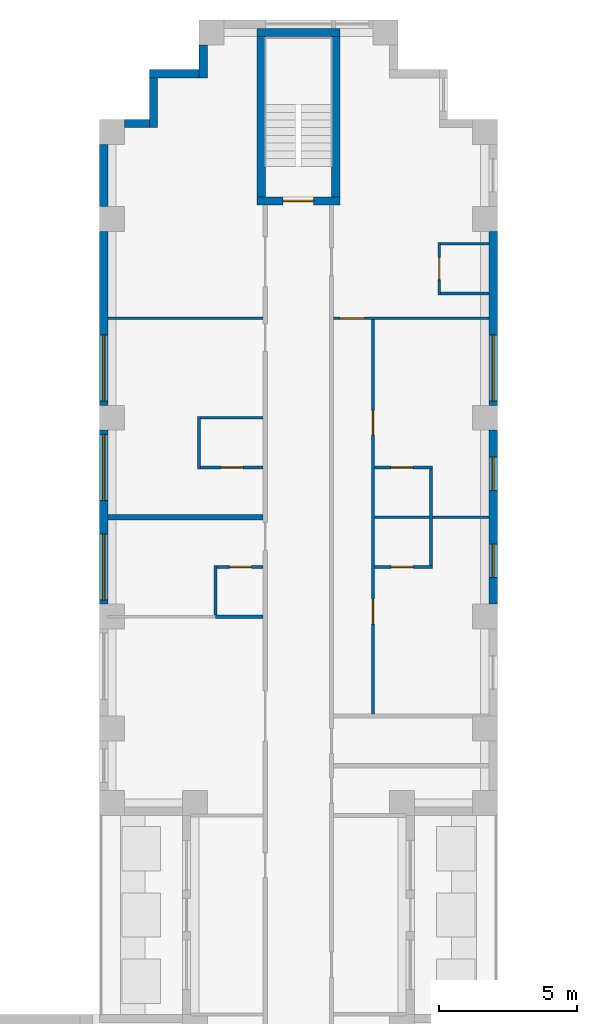
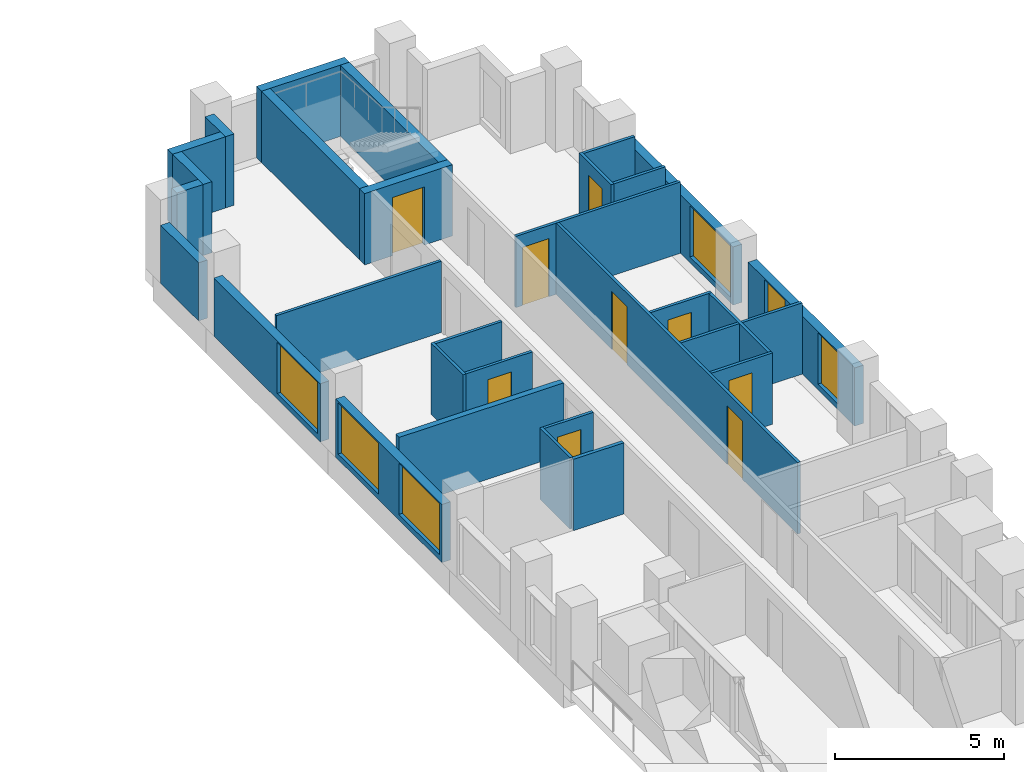
# One storey, part 11 of 15: 30 walls, 9 doors, 6 windows, 15 openings.
"""IFC4 building model written with IfcOpenShell, lengths in metres."""

from ifc_helpers import new_model, si_unit, direction, frame, frame_2d, origin, place, context, subcontext, project, spatial, rectangle, extrude, material, layer, layer_set, type_object, element, fill, save


model = new_model("IFC4")

# Units and contexts
model_context = context("Model", 3, precision=1e-05, world=origin(), true_north=direction((0.0, 1.0)))
body_context = subcontext(model_context, "Body", "Model", "MODEL_VIEW")
ifc_project = project(units=[si_unit("LENGTHUNIT", "METRE"), si_unit("AREAUNIT", "SQUARE_METRE"), si_unit("VOLUMEUNIT", "CUBIC_METRE"), si_unit("PLANEANGLEUNIT", "RADIAN"), si_unit("MASSUNIT", "GRAM", prefix="KILO")], contexts=[model_context])

# Site, building, storey
site_placement = place(None, origin())
site = spatial("IfcSite", under=ifc_project, at=site_placement, CompositionType="ELEMENT")
building_placement = place(site_placement, origin())
building = spatial("IfcBuilding", under=site, at=building_placement, Name="Fustian Cross Tower", CompositionType="ELEMENT")
storey_placement = place(building_placement, frame((0.0, 0.0, 47.699951171875)))
storey = spatial("IfcBuildingStorey", under=building, at=storey_placement, Name="L14", CompositionType="ELEMENT", Elevation=47.699951171875)

# Walls
ifc_material_1 = material(Name="Plasterboard on steel stud", Category="steel")
ifc_layer_1 = layer(ifc_material_1, 0.10009765625)
ifc_layer_set_1 = layer_set([ifc_layer_1], Name="Plasterboard on steel stud")
wall_type_1 = type_object("IfcWallType", Name="PARTITION 100 STUD", PredefinedType="PARTITIONING", material=ifc_layer_set_1)
wall_1_placement = place(storey_placement, frame((-6.89990234375, 32.39990234375, 0.0), z_axis=(0.0, 0.0, 1.0), x_axis=(1.0, 0.0, 0.0)))
element("IfcWall", 1, at=wall_1_placement, inside=storey, type_object=wall_type_1, Name="Partition 25", PredefinedType="PARTITIONING", context=body_context, shape_type="SweptSolid", body=[
    extrude(rectangle(XDim=5.625, YDim=0.10009765625, at=frame_2d((2.8125, 0.0))), origin(), (0.0, 0.0, 1.0), 2.574951171875),
])
wall_2_placement = place(storey_placement, frame((-3.60009765625, 26.949951171875, 0.0), z_axis=(0.0, 0.0, 1.0), x_axis=(0.0, 1.0, 0.0)))
element("IfcWall", 2, at=wall_2_placement, inside=storey, type_object=wall_type_1, Name="Partition 34", PredefinedType="PARTITIONING", context=body_context, shape_type="SweptSolid", body=[
    extrude(rectangle(XDim=1.900146484375, YDim=0.10009765625, at=frame_2d((0.9501953125, 0.0))), origin(), (0.0, 0.0, 1.0), 2.574951171875),
])

# Wall, opening, door
wall_3_placement = place(storey_placement, frame((-3.550048828125, 27.0, 0.0), z_axis=(0.0, 0.0, 1.0), x_axis=(1.0, 0.0, 0.0)))
wall_3 = element("IfcWall", 3, at=wall_3_placement, inside=storey, type_object=wall_type_1, Name="Partition 35", PredefinedType="PARTITIONING", context=body_context, shape_type="SweptSolid", body=[
    extrude(rectangle(XDim=2.275146484375, YDim=0.10009765625, at=frame_2d((1.1376953125, 0.0))), origin(), (0.0, 0.0, 1.0), 2.574951171875),
])
opening_1_placement = place(wall_3_placement, frame((0.75, 0.0, 0.0)))
opening_1 = element("IfcOpeningElement", 4, at=opening_1_placement, cuts=wall_3, Name="Opening D08023", PredefinedType="OPENING", context=body_context, shape_type="SweptSolid", body=[
    extrude(rectangle(XDim=0.800048828125, YDim=2.10009765625, at=frame_2d((0.39990234375, 1.050048828125))), frame((0.0, 0.06005859375, 0.0), z_axis=(0.0, -1.0, 0.0), x_axis=(1.0, 0.0, 0.0)), (0.0, 0.0, 1.0), 0.1201171875),
])
ifc_material_2 = material(Name="Painted timber", Category="wood")
door_type_1 = type_object("IfcDoorType", Name="SWING DOOR 800", OperationType="SINGLE_SWING_LEFT", PredefinedType="DOOR", material=ifc_material_2)
door_1_placement = place(opening_1_placement, origin())
door_1 = element("IfcDoor", 5, at=door_1_placement, inside=storey, type_object=door_type_1, Name="Door D08023", OperationType="SINGLE_SWING_LEFT", OverallHeight=2.10009765625, OverallWidth=0.800048828125, PredefinedType="DOOR", context=body_context, shape_type="SweptSolid", body=[
    extrude(rectangle(XDim=0.800048828125, YDim=2.10009765625, at=frame_2d((0.39990234375, 1.050048828125))), frame((0.0, 0.02490234375, 0.0), z_axis=(0.0, -1.0, 0.0), x_axis=(1.0, 0.0, 0.0)), (0.0, 0.0, 1.0), 0.050048828125),
])
fill(opening_1, door_1)

# Walls
wall_4_placement = place(storey_placement, frame((-3.550048828125, 28.800048828125, 0.0), z_axis=(0.0, 0.0, 1.0), x_axis=(1.0, 0.0, 0.0)))
element("IfcWall", 6, at=wall_4_placement, inside=storey, type_object=wall_type_1, Name="Partition 36", PredefinedType="PARTITIONING", context=body_context, shape_type="SweptSolid", body=[
    extrude(rectangle(XDim=2.275146484375, YDim=0.10009765625, at=frame_2d((1.1376953125, 0.0))), origin(), (0.0, 0.0, 1.0), 2.574951171875),
])
wall_5_placement = place(storey_placement, frame((-3.0, 21.66259765625, 0.0), z_axis=(0.0, 0.0, 1.0), x_axis=(0.0, 1.0, 0.0)))
element("IfcWall", 7, at=wall_5_placement, inside=storey, type_object=wall_type_1, Name="Partition 38", PredefinedType="PARTITIONING", context=body_context, shape_type="SweptSolid", body=[
    extrude(rectangle(XDim=1.787353515625, YDim=0.10009765625, at=frame_2d((0.8935546875, 0.0))), origin(), (0.0, 0.0, 1.0), 2.574951171875),
])

# Wall, opening, door
wall_6_placement = place(storey_placement, frame((-2.949951171875, 23.39990234375, 0.0), z_axis=(0.0, 0.0, 1.0), x_axis=(1.0, 0.0, 0.0)))
wall_6 = element("IfcWall", 8, at=wall_6_placement, inside=storey, type_object=wall_type_1, Name="Partition 40", PredefinedType="PARTITIONING", context=body_context, shape_type="SweptSolid", body=[
    extrude(rectangle(XDim=1.675048828125, YDim=0.10009765625, at=frame_2d((0.83740234375, 0.0))), origin(), (0.0, 0.0, 1.0), 2.574951171875),
])
opening_2_placement = place(wall_6_placement, frame((0.449951171875, 0.0, 0.0)))
opening_2 = element("IfcOpeningElement", 9, at=opening_2_placement, cuts=wall_6, Name="Opening D08021", PredefinedType="OPENING", context=body_context, shape_type="SweptSolid", body=[
    extrude(rectangle(XDim=0.800048828125, YDim=2.10009765625, at=frame_2d((0.39990234375, 1.050048828125))), frame((0.0, 0.06005859375, 0.0), z_axis=(0.0, -1.0, 0.0), x_axis=(1.0, 0.0, 0.0)), (0.0, 0.0, 1.0), 0.1201171875),
])
door_2_placement = place(opening_2_placement, frame((0.800048828125, 0.0, 0.0), z_axis=(0.0, 0.0, 1.0), x_axis=(-1.0, 0.0, 0.0)))
door_2 = element("IfcDoor", 10, at=door_2_placement, inside=storey, type_object=door_type_1, Name="Door D08021", OperationType="SINGLE_SWING_LEFT", OverallHeight=2.10009765625, OverallWidth=0.800048828125, PredefinedType="DOOR", context=body_context, shape_type="SweptSolid", body=[
    extrude(rectangle(XDim=0.800048828125, YDim=2.10009765625, at=frame_2d((0.39990234375, 1.050048828125))), frame((0.0, 0.02490234375, 0.0), z_axis=(0.0, -1.0, 0.0), x_axis=(1.0, 0.0, 0.0)), (0.0, 0.0, 1.0), 0.050048828125),
])
fill(opening_2, door_2)

wall_7_placement = place(storey_placement, frame((1.27490234375, 32.39990234375, 0.0), z_axis=(0.0, 0.0, 1.0), x_axis=(1.0, 0.0, 0.0)))
wall_7 = element("IfcWall", 11, at=wall_7_placement, inside=storey, type_object=wall_type_1, Name="Partition 58", PredefinedType="PARTITIONING", context=body_context, shape_type="SweptSolid", body=[
    extrude(rectangle(XDim=5.625, YDim=0.10009765625, at=frame_2d((2.8125, 0.0))), origin(), (0.0, 0.0, 1.0), 2.574951171875),
])
opening_3_placement = place(wall_7_placement, frame((0.22509765625, 0.0, 0.0)))
opening_3 = element("IfcOpeningElement", 12, at=opening_3_placement, cuts=wall_7, Name="Opening D08031", PredefinedType="OPENING", context=body_context, shape_type="SweptSolid", body=[
    extrude(rectangle(XDim=0.89990234375, YDim=2.10009765625, at=frame_2d((0.449951171875, 1.050048828125))), frame((0.0, 0.06005859375, 0.0), z_axis=(0.0, -1.0, 0.0), x_axis=(1.0, 0.0, 0.0)), (0.0, 0.0, 1.0), 0.1201171875),
])
ifc_material_3 = material(Name="Painted timber", Category="wood")
door_type_2 = type_object("IfcDoorType", Name="SWING DOOR 900", OperationType="SINGLE_SWING_LEFT", PredefinedType="DOOR", material=ifc_material_3)
door_3_placement = place(opening_3_placement, frame((0.89990234375, 0.0, 0.0), z_axis=(0.0, 0.0, 1.0), x_axis=(-1.0, 0.0, 0.0)))
door_3 = element("IfcDoor", 13, at=door_3_placement, inside=storey, type_object=door_type_2, Name="Door D08031", OperationType="SINGLE_SWING_RIGHT", OverallHeight=2.10009765625, OverallWidth=0.89990234375, PredefinedType="DOOR", context=body_context, shape_type="SweptSolid", body=[
    extrude(rectangle(XDim=0.89990234375, YDim=2.10009765625, at=frame_2d((0.449951171875, 1.050048828125))), frame((0.0, 0.02490234375, 0.0), z_axis=(0.0, -1.0, 0.0), x_axis=(1.0, 0.0, 0.0)), (0.0, 0.0, 1.0), 0.050048828125),
])
fill(opening_3, door_3)

# Wall, openings, doors
wall_8_placement = place(storey_placement, frame((2.699951171875, 18.074951171875, 0.0), z_axis=(0.0, 0.0, 1.0), x_axis=(0.0, 1.0, 0.0)))
wall_8 = element("IfcWall", 14, at=wall_8_placement, inside=storey, type_object=wall_type_1, Name="Partition 63", PredefinedType="PARTITIONING", context=body_context, shape_type="SweptSolid", body=[
    extrude(rectangle(XDim=14.275146484375, YDim=0.10009765625, at=frame_2d((7.1376953125, 0.0))), origin(), (0.0, 0.0, 1.0), 2.574951171875),
])
opening_4_placement = place(wall_8_placement, frame((3.255126953125, 0.0, 0.0)))
opening_4 = element("IfcOpeningElement", 15, at=opening_4_placement, cuts=wall_8, Name="Opening D08032", PredefinedType="OPENING", context=body_context, shape_type="SweptSolid", body=[
    extrude(rectangle(XDim=0.89990234375, YDim=2.10009765625, at=frame_2d((0.449951171875, 1.050048828125))), frame((0.0, 0.06005859375, 0.0), z_axis=(0.0, -1.0, 0.0), x_axis=(1.0, 0.0, 0.0)), (0.0, 0.0, 1.0), 0.1201171875),
])
opening_5_placement = place(wall_8_placement, frame((10.094970703125, 0.0, 0.0)))
opening_5 = element("IfcOpeningElement", 16, at=opening_5_placement, cuts=wall_8, Name="Opening D08033", PredefinedType="OPENING", context=body_context, shape_type="SweptSolid", body=[
    extrude(rectangle(XDim=0.89990234375, YDim=2.10009765625, at=frame_2d((0.449951171875, 1.050048828125))), frame((0.0, 0.06005859375, 0.0), z_axis=(0.0, -1.0, 0.0), x_axis=(1.0, 0.0, 0.0)), (0.0, 0.0, 1.0), 0.1201171875),
])
door_4_placement = place(opening_4_placement, origin())
door_4 = element("IfcDoor", 17, at=door_4_placement, inside=storey, type_object=door_type_2, Name="Door D08032", OperationType="SINGLE_SWING_LEFT", OverallHeight=2.10009765625, OverallWidth=0.89990234375, PredefinedType="DOOR", context=body_context, shape_type="SweptSolid", body=[
    extrude(rectangle(XDim=0.89990234375, YDim=2.10009765625, at=frame_2d((0.449951171875, 1.050048828125))), frame((0.0, 0.02490234375, 0.0), z_axis=(0.0, -1.0, 0.0), x_axis=(1.0, 0.0, 0.0)), (0.0, 0.0, 1.0), 0.050048828125),
])
fill(opening_4, door_4)
door_5_placement = place(opening_5_placement, origin())
door_5 = element("IfcDoor", 18, at=door_5_placement, inside=storey, type_object=door_type_2, Name="Door D08033", OperationType="SINGLE_SWING_RIGHT", OverallHeight=2.10009765625, OverallWidth=0.89990234375, PredefinedType="DOOR", context=body_context, shape_type="SweptSolid", body=[
    extrude(rectangle(XDim=0.89990234375, YDim=2.10009765625, at=frame_2d((0.449951171875, 1.050048828125))), frame((0.0, 0.02490234375, 0.0), z_axis=(0.0, -1.0, 0.0), x_axis=(1.0, 0.0, 0.0)), (0.0, 0.0, 1.0), 0.050048828125),
])
fill(opening_5, door_5)

# Wall, opening, door
wall_9_placement = place(storey_placement, frame((2.75, 23.39990234375, 0.0), z_axis=(0.0, 0.0, 1.0), x_axis=(1.0, 0.0, 0.0)))
wall_9 = element("IfcWall", 19, at=wall_9_placement, inside=storey, type_object=wall_type_1, Name="Partition 64", PredefinedType="PARTITIONING", context=body_context, shape_type="SweptSolid", body=[
    extrude(rectangle(XDim=2.10009765625, YDim=0.10009765625, at=frame_2d((1.050048828125, 0.0))), origin(), (0.0, 0.0, 1.0), 2.574951171875),
])
opening_6_placement = place(wall_9_placement, frame((0.60009765625, 0.0, 0.0)))
opening_6 = element("IfcOpeningElement", 20, at=opening_6_placement, cuts=wall_9, Name="Opening D08034", PredefinedType="OPENING", context=body_context, shape_type="SweptSolid", body=[
    extrude(rectangle(XDim=0.800048828125, YDim=2.10009765625, at=frame_2d((0.39990234375, 1.050048828125))), frame((0.0, 0.06005859375, 0.0), z_axis=(0.0, -1.0, 0.0), x_axis=(1.0, 0.0, 0.0)), (0.0, 0.0, 1.0), 0.1201171875),
])
door_6_placement = place(opening_6_placement, origin())
door_6 = element("IfcDoor", 21, at=door_6_placement, inside=storey, type_object=door_type_1, Name="Door D08034", OperationType="SINGLE_SWING_LEFT", OverallHeight=2.10009765625, OverallWidth=0.800048828125, PredefinedType="DOOR", context=body_context, shape_type="SweptSolid", body=[
    extrude(rectangle(XDim=0.800048828125, YDim=2.10009765625, at=frame_2d((0.39990234375, 1.050048828125))), frame((0.0, 0.02490234375, 0.0), z_axis=(0.0, -1.0, 0.0), x_axis=(1.0, 0.0, 0.0)), (0.0, 0.0, 1.0), 0.050048828125),
])
fill(opening_6, door_6)

# Wall
wall_10_placement = place(storey_placement, frame((2.75, 25.199951171875, 0.0), z_axis=(0.0, 0.0, 1.0), x_axis=(1.0, 0.0, 0.0)))
element("IfcWall", 22, at=wall_10_placement, inside=storey, type_object=wall_type_1, Name="Partition 65", PredefinedType="PARTITIONING", context=body_context, shape_type="SweptSolid", body=[
    extrude(rectangle(XDim=4.14990234375, YDim=0.10009765625, at=frame_2d((2.074951171875, 0.0))), origin(), (0.0, 0.0, 1.0), 2.574951171875),
])

# Wall, opening, door
wall_11_placement = place(storey_placement, frame((2.75, 27.0, 0.0), z_axis=(0.0, 0.0, 1.0), x_axis=(1.0, 0.0, 0.0)))
wall_11 = element("IfcWall", 23, at=wall_11_placement, inside=storey, type_object=wall_type_1, Name="Partition 66", PredefinedType="PARTITIONING", context=body_context, shape_type="SweptSolid", body=[
    extrude(rectangle(XDim=2.10009765625, YDim=0.10009765625, at=frame_2d((1.050048828125, 0.0))), origin(), (0.0, 0.0, 1.0), 2.574951171875),
])
opening_7_placement = place(wall_11_placement, frame((0.60009765625, 0.0, 0.0)))
opening_7 = element("IfcOpeningElement", 24, at=opening_7_placement, cuts=wall_11, Name="Opening D08035", PredefinedType="OPENING", context=body_context, shape_type="SweptSolid", body=[
    extrude(rectangle(XDim=0.800048828125, YDim=2.10009765625, at=frame_2d((0.39990234375, 1.050048828125))), frame((0.0, 0.06005859375, 0.0), z_axis=(0.0, -1.0, 0.0), x_axis=(1.0, 0.0, 0.0)), (0.0, 0.0, 1.0), 0.1201171875),
])
door_7_placement = place(opening_7_placement, frame((0.800048828125, 0.0, 0.0), z_axis=(0.0, 0.0, 1.0), x_axis=(-1.0, 0.0, 0.0)))
door_7 = element("IfcDoor", 25, at=door_7_placement, inside=storey, type_object=door_type_1, Name="Door D08035", OperationType="SINGLE_SWING_RIGHT", OverallHeight=2.10009765625, OverallWidth=0.800048828125, PredefinedType="DOOR", context=body_context, shape_type="SweptSolid", body=[
    extrude(rectangle(XDim=0.800048828125, YDim=2.10009765625, at=frame_2d((0.39990234375, 1.050048828125))), frame((0.0, 0.02490234375, 0.0), z_axis=(0.0, -1.0, 0.0), x_axis=(1.0, 0.0, 0.0)), (0.0, 0.0, 1.0), 0.050048828125),
])
fill(opening_7, door_7)

# Wall
wall_12_placement = place(storey_placement, frame((4.800048828125, 23.449951171875, 0.0), z_axis=(0.0, 0.0, 1.0), x_axis=(0.0, 1.0, 0.0)))
element("IfcWall", 26, at=wall_12_placement, inside=storey, type_object=wall_type_1, Name="Partition 69", PredefinedType="PARTITIONING", context=body_context, shape_type="SweptSolid", body=[
    extrude(rectangle(XDim=3.5, YDim=0.10009765625, at=frame_2d((1.75, 0.0))), origin(), (0.0, 0.0, 1.0), 2.574951171875),
])

# Wall, opening, door
wall_13_placement = place(storey_placement, frame((5.10009765625, 33.25, 0.0), z_axis=(0.0, 0.0, 1.0), x_axis=(0.0, 1.0, 0.0)))
wall_13 = element("IfcWall", 27, at=wall_13_placement, inside=storey, type_object=wall_type_1, Name="Partition 73", PredefinedType="PARTITIONING", context=body_context, shape_type="SweptSolid", body=[
    extrude(rectangle(XDim=1.89990234375, YDim=0.10009765625, at=frame_2d((0.949951171875, 0.0))), origin(), (0.0, 0.0, 1.0), 2.574951171875),
])
opening_8_placement = place(wall_13_placement, frame((0.550048828125, 0.0, 0.0)))
opening_8 = element("IfcOpeningElement", 28, at=opening_8_placement, cuts=wall_13, Name="Opening D08029", PredefinedType="OPENING", context=body_context, shape_type="SweptSolid", body=[
    extrude(rectangle(XDim=0.800048828125, YDim=2.10009765625, at=frame_2d((0.39990234375, 1.050048828125))), frame((0.0, 0.06005859375, 0.0), z_axis=(0.0, -1.0, 0.0), x_axis=(1.0, 0.0, 0.0)), (0.0, 0.0, 1.0), 0.1201171875),
])
door_8_placement = place(opening_8_placement, frame((0.800048828125, 0.0, 0.0), z_axis=(0.0, 0.0, 1.0), x_axis=(-1.0, 0.0, 0.0)))
door_8 = element("IfcDoor", 29, at=door_8_placement, inside=storey, type_object=door_type_1, Name="Door D08029", OperationType="SINGLE_SWING_LEFT", OverallHeight=2.10009765625, OverallWidth=0.800048828125, PredefinedType="DOOR", context=body_context, shape_type="SweptSolid", body=[
    extrude(rectangle(XDim=0.800048828125, YDim=2.10009765625, at=frame_2d((0.39990234375, 1.050048828125))), frame((0.0, 0.02490234375, 0.0), z_axis=(0.0, -1.0, 0.0), x_axis=(1.0, 0.0, 0.0)), (0.0, 0.0, 1.0), 0.050048828125),
])
fill(opening_8, door_8)

# Walls
for number, where, z_axis, x_axis, name in (
    (30, (5.14990234375, 33.300048828125, 0.0), (0.0, 0.0, 1.0), (1.0, 0.0, 0.0), "Partition 74"),
    (31, (5.14990234375, 35.10009765625, 0.0), (0.0, 0.0, 1.0), (1.0, 0.0, 0.0), "Partition 75"),
):
    element("IfcWall", number, at=place(storey_placement, frame(where, z_axis=z_axis, x_axis=x_axis)), inside=storey, type_object=wall_type_1, Name=name, PredefinedType="PARTITIONING", context=body_context, shape_type="SweptSolid", body=[
        extrude(rectangle(XDim=1.75, YDim=0.10009765625, at=frame_2d((0.875, 0.0))), origin(), (0.0, 0.0, 1.0), 2.574951171875),
    ])
ifc_material_4 = material(Name="Plasterboard on steel stud", Category="steel")
ifc_layer_2 = layer(ifc_material_4, 0.199951171875)
ifc_layer_set_2 = layer_set([ifc_layer_2], Name="Plasterboard on steel stud")
wall_type_2 = type_object("IfcWallType", Name="PARTY WALL 200 EI 60", PredefinedType="PARTITIONING", material=ifc_layer_set_2)
wall_14_placement = place(storey_placement, frame((-6.89990234375, 25.199951171875, 0.0), z_axis=(0.0, 0.0, 1.0), x_axis=(1.0, 0.0, 0.0)))
element("IfcWall", 32, at=wall_14_placement, inside=storey, type_object=wall_type_2, Name="Partition 24", PredefinedType="PARTITIONING", context=body_context, shape_type="SweptSolid", body=[
    extrude(rectangle(XDim=5.625, YDim=0.199951171875, at=frame_2d((2.8125, 0.0))), origin(), (0.0, 0.0, 1.0), 2.574951171875),
])

# Wall, opening, door
ifc_material_5 = material(Name="Concrete C50/60", Category="concrete")
ifc_layer_3 = layer(ifc_material_5, 0.300048828125)
ifc_layer_set_3 = layer_set([ifc_layer_3], Name="Concrete C50/60")
wall_type_3 = type_object("IfcWallType", Name="STAIR ENCLOSURE WALL 300 C50/60", PredefinedType="SHEAR", material=ifc_layer_set_3)
wall_15_placement = place(storey_placement, frame((-1.5, 36.64990234375, 0.0), z_axis=(0.0, 0.0, 1.0), x_axis=(1.0, 0.0, 0.0)))
wall_15 = element("IfcWall", 33, at=wall_15_placement, inside=storey, type_object=wall_type_3, Name="Stair enclosure wall", PredefinedType="SHEAR", context=body_context, shape_type="SweptSolid", body=[
    extrude(rectangle(XDim=3.0, YDim=0.300048828125, at=frame_2d((1.5, 0.0))), origin(), (0.0, 0.0, 1.0), 2.574951171875),
])
opening_9_placement = place(wall_15_placement, frame((0.949951171875, 0.0, 0.0)))
opening_9 = element("IfcOpeningElement", 34, at=opening_9_placement, cuts=wall_15, Name="Opening CD-05-31", PredefinedType="OPENING", context=body_context, shape_type="SweptSolid", body=[
    extrude(rectangle(XDim=1.10009765625, YDim=2.10009765625, at=frame_2d((0.550048828125, 1.050048828125))), frame((0.0, 0.159912109375, 0.0), z_axis=(0.0, -1.0, 0.0), x_axis=(1.0, 0.0, 0.0)), (0.0, 0.0, 1.0), 0.320068359375),
])
ifc_material_6 = material(Name="Steel", Category="steel")
door_type_3 = type_object("IfcDoorType", Name="FIRE DOOR FD60S 1100X2100", OperationType="SINGLE_SWING_LEFT", PredefinedType="DOOR", material=ifc_material_6)
door_9_placement = place(opening_9_placement, origin())
door_9 = element("IfcDoor", 35, at=door_9_placement, inside=storey, type_object=door_type_3, Name="Core door CD-05-31", OperationType="SINGLE_SWING_LEFT", OverallHeight=2.10009765625, OverallWidth=1.10009765625, PredefinedType="DOOR", context=body_context, shape_type="SweptSolid", body=[
    extrude(rectangle(XDim=1.10009765625, YDim=2.10009765625, at=frame_2d((0.550048828125, 1.050048828125))), frame((0.0, 0.02490234375, 0.0), z_axis=(0.0, -1.0, 0.0), x_axis=(1.0, 0.0, 0.0)), (0.0, 0.0, 1.0), 0.050048828125),
])
fill(opening_9, door_9)

# Walls
wall_16_placement = place(storey_placement, frame((-1.5, 42.75, 0.0), z_axis=(0.0, 0.0, 1.0), x_axis=(1.0, 0.0, 0.0)))
element("IfcWall", 36, at=wall_16_placement, inside=storey, type_object=wall_type_3, Name="Stair enclosure wall", PredefinedType="SHEAR", context=body_context, shape_type="SweptSolid", body=[
    extrude(rectangle(XDim=3.0, YDim=0.300048828125, at=frame_2d((1.5, 0.0))), origin(), (0.0, 0.0, 1.0), 2.574951171875),
])
for number, where, z_axis, x_axis, name in (
    (37, (-1.35009765625, 36.800048828125, 0.0), (0.0, 0.0, 1.0), (0.0, 1.0, 0.0), "Stair enclosure wall"),
    (38, (1.35009765625, 36.800048828125, 0.0), (0.0, 0.0, 1.0), (0.0, 1.0, 0.0), "Stair enclosure wall"),
):
    element("IfcWall", number, at=place(storey_placement, frame(where, z_axis=z_axis, x_axis=x_axis)), inside=storey, type_object=wall_type_3, Name=name, PredefinedType="SHEAR", context=body_context, shape_type="SweptSolid", body=[
        extrude(rectangle(XDim=5.800048828125, YDim=0.300048828125, at=frame_2d((2.89990234375, 0.0))), origin(), (0.0, 0.0, 1.0), 2.574951171875),
    ])
ifc_material_7 = material(Name="Plasterboard on steel stud", Category="steel")
ifc_layer_4 = layer(ifc_material_7, 0.125)
ifc_layer_set_4 = layer_set([ifc_layer_4], Name="Plasterboard on steel stud")
wall_type_4 = type_object("IfcWallType", Name="WET WALL 125 STUD", PredefinedType="PARTITIONING", material=ifc_layer_set_4)
wall_17_placement = place(storey_placement, frame((-3.0, 21.60009765625, 0.0), z_axis=(0.0, 0.0, 1.0), x_axis=(1.0, 0.0, 0.0)))
element("IfcWall", 39, at=wall_17_placement, inside=storey, type_object=wall_type_4, Name="Partition 39", PredefinedType="PARTITIONING", context=body_context, shape_type="SweptSolid", body=[
    extrude(rectangle(XDim=1.72509765625, YDim=0.125, at=frame_2d((0.862548828125, 0.0))), origin(), (0.0, 0.0, 1.0), 2.574951171875),
])

# Wall, openings, windows
ifc_material_8 = material(Name="Dark aluminium cladding on insulated backing wall", Category="aluminium")
ifc_layer_5 = layer(ifc_material_8, 0.300048828125)
ifc_layer_set_5 = layer_set([ifc_layer_5], Name="Dark aluminium cladding on insulated backing wall")
wall_type_5 = type_object("IfcWallType", Name="XW1 EXTERNAL WALL 300", PredefinedType="SOLIDWALL", material=ifc_layer_set_5)
wall_18_placement = place(storey_placement, frame((7.050048828125, 22.050048828125, 0.0), z_axis=(0.0, 0.0, 1.0), x_axis=(0.0, 1.0, 0.0)))
wall_18 = element("IfcWall", 40, at=wall_18_placement, inside=storey, type_object=wall_type_5, Name="External wall", PredefinedType="SOLIDWALL", context=body_context, shape_type="SweptSolid", body=[
    extrude(rectangle(XDim=6.300048828125, YDim=0.300048828125, at=frame_2d((3.14990234375, 0.0))), origin(), (0.0, 0.0, 1.0), 2.10009765625),
])
opening_10_placement = place(wall_18_placement, frame((0.97509765625, 0.0, 0.199951171875)))
opening_10 = element("IfcOpeningElement", 41, at=opening_10_placement, cuts=wall_18, Name="Opening WN3", PredefinedType="OPENING", context=body_context, shape_type="SweptSolid", body=[
    extrude(rectangle(XDim=1.199951171875, YDim=1.85009765625, at=frame_2d((0.60009765625, 0.925048828125))), frame((0.0, 0.159912109375, 0.0), z_axis=(0.0, -1.0, 0.0), x_axis=(1.0, 0.0, 0.0)), (0.0, 0.0, 1.0), 0.320068359375),
])
opening_11_placement = place(wall_18_placement, frame((4.125, 0.0, 0.199951171875)))
opening_11 = element("IfcOpeningElement", 42, at=opening_11_placement, cuts=wall_18, Name="Opening WN3", PredefinedType="OPENING", context=body_context, shape_type="SweptSolid", body=[
    extrude(rectangle(XDim=1.199951171875, YDim=1.85009765625, at=frame_2d((0.60009765625, 0.925048828125))), frame((0.0, 0.159912109375, 0.0), z_axis=(0.0, -1.0, 0.0), x_axis=(1.0, 0.0, 0.0)), (0.0, 0.0, 1.0), 0.320068359375),
])
ifc_material_9 = material(Name="Dark anodised aluminium and double glazing", Category="aluminium")
window_type_1 = type_object("IfcWindowType", Name="WN3 WINDOW 1200X1850", PartitioningType="SINGLE_PANEL", PredefinedType="WINDOW", material=ifc_material_9)
window_1_placement = place(opening_10_placement, origin())
window_1 = element("IfcWindow", 43, at=window_1_placement, inside=storey, type_object=window_type_1, Name="Window", OverallHeight=1.85009765625, OverallWidth=1.199951171875, PartitioningType="SINGLE_PANEL", PredefinedType="WINDOW", context=body_context, shape_type="SweptSolid", body=[
    extrude(rectangle(XDim=1.199951171875, YDim=1.85009765625, at=frame_2d((0.60009765625, 0.925048828125))), frame((0.0, 0.030029296875, 0.0), z_axis=(0.0, -1.0, 0.0), x_axis=(1.0, 0.0, 0.0)), (0.0, 0.0, 1.0), 0.06005859375),
])
fill(opening_10, window_1)
window_2_placement = place(opening_11_placement, origin())
window_2 = element("IfcWindow", 44, at=window_2_placement, inside=storey, type_object=window_type_1, Name="Window", OverallHeight=1.85009765625, OverallWidth=1.199951171875, PartitioningType="SINGLE_PANEL", PredefinedType="WINDOW", context=body_context, shape_type="SweptSolid", body=[
    extrude(rectangle(XDim=1.199951171875, YDim=1.85009765625, at=frame_2d((0.60009765625, 0.925048828125))), frame((0.0, 0.030029296875, 0.0), z_axis=(0.0, -1.0, 0.0), x_axis=(1.0, 0.0, 0.0)), (0.0, 0.0, 1.0), 0.06005859375),
])
fill(opening_11, window_2)

# Wall, opening, window
wall_19_placement = place(storey_placement, frame((7.050048828125, 29.25, 0.0), z_axis=(0.0, 0.0, 1.0), x_axis=(0.0, 1.0, 0.0)))
wall_19 = element("IfcWall", 45, at=wall_19_placement, inside=storey, type_object=wall_type_5, Name="External wall", PredefinedType="SOLIDWALL", context=body_context, shape_type="SweptSolid", body=[
    extrude(rectangle(XDim=6.300048828125, YDim=0.300048828125, at=frame_2d((3.14990234375, 0.0))), origin(), (0.0, 0.0, 1.0), 2.10009765625),
])
opening_12_placement = place(wall_19_placement, frame((0.14990234375, 0.0, 0.199951171875)))
opening_12 = element("IfcOpeningElement", 46, at=opening_12_placement, cuts=wall_19, Name="Opening WN1", PredefinedType="OPENING", context=body_context, shape_type="SweptSolid", body=[
    extrude(rectangle(XDim=2.39990234375, YDim=1.85009765625, at=frame_2d((1.199951171875, 0.925048828125))), frame((0.0, 0.159912109375, 0.0), z_axis=(0.0, -1.0, 0.0), x_axis=(1.0, 0.0, 0.0)), (0.0, 0.0, 1.0), 0.320068359375),
])
ifc_material_10 = material(Name="Dark anodised aluminium and double glazing", Category="aluminium")
window_type_2 = type_object("IfcWindowType", Name="WN1 WINDOW 2400X1850", PartitioningType="SINGLE_PANEL", PredefinedType="WINDOW", material=ifc_material_10)
window_3_placement = place(opening_12_placement, origin())
window_3 = element("IfcWindow", 47, at=window_3_placement, inside=storey, type_object=window_type_2, Name="Window", OverallHeight=1.85009765625, OverallWidth=2.39990234375, PartitioningType="SINGLE_PANEL", PredefinedType="WINDOW", context=body_context, shape_type="SweptSolid", body=[
    extrude(rectangle(XDim=2.39990234375, YDim=1.85009765625, at=frame_2d((1.199951171875, 0.925048828125))), frame((0.0, 0.030029296875, 0.0), z_axis=(0.0, -1.0, 0.0), x_axis=(1.0, 0.0, 0.0)), (0.0, 0.0, 1.0), 0.06005859375),
])
fill(opening_12, window_3)

# Walls
wall_20_placement = place(storey_placement, frame((-3.449951171875, 42.300048828125, 0.0), z_axis=(0.0, 0.0, 1.0), x_axis=(0.0, -1.0, 0.0)))
element("IfcWall", 48, at=wall_20_placement, inside=storey, type_object=wall_type_5, Name="External wall", PredefinedType="SOLIDWALL", context=body_context, shape_type="SweptSolid", body=[
    extrude(rectangle(XDim=1.199951171875, YDim=0.300048828125, at=frame_2d((0.60009765625, 0.0))), origin(), (0.0, 0.0, 1.0), 2.574951171875),
])
wall_21_placement = place(storey_placement, frame((-3.60009765625, 41.25, 0.0), z_axis=(0.0, 0.0, 1.0), x_axis=(-1.0, 0.0, 0.0)))
element("IfcWall", 49, at=wall_21_placement, inside=storey, type_object=wall_type_5, Name="External wall", PredefinedType="SOLIDWALL", context=body_context, shape_type="SweptSolid", body=[
    extrude(rectangle(XDim=1.7998046875, YDim=0.300048828125, at=frame_2d((0.89990234375, 0.0))), origin(), (0.0, 0.0, 1.0), 2.574951171875),
])
wall_22_placement = place(storey_placement, frame((-5.25, 41.10009765625, 0.0), z_axis=(0.0, 0.0, 1.0), x_axis=(0.0, -1.0, 0.0)))
element("IfcWall", 50, at=wall_22_placement, inside=storey, type_object=wall_type_5, Name="External wall", PredefinedType="SOLIDWALL", context=body_context, shape_type="SweptSolid", body=[
    extrude(rectangle(XDim=1.800048828125, YDim=0.300048828125, at=frame_2d((0.89990234375, 0.0))), origin(), (0.0, 0.0, 1.0), 2.574951171875),
])
wall_23_placement = place(storey_placement, frame((-5.39990234375, 39.449951171875, 0.0), z_axis=(0.0, 0.0, 1.0), x_axis=(-1.0, 0.0, 0.0)))
element("IfcWall", 51, at=wall_23_placement, inside=storey, type_object=wall_type_5, Name="External wall", PredefinedType="SOLIDWALL", context=body_context, shape_type="SweptSolid", body=[
    extrude(rectangle(XDim=0.900146484375, YDim=0.300048828125, at=frame_2d((0.4501953125, 0.0))), origin(), (0.0, 0.0, 1.0), 2.574951171875),
])
wall_24_placement = place(storey_placement, frame((-7.050048828125, 38.699951171875, 0.0), z_axis=(0.0, 0.0, 1.0), x_axis=(0.0, -1.0, 0.0)))
element("IfcWall", 52, at=wall_24_placement, inside=storey, type_object=wall_type_5, Name="External wall", PredefinedType="SOLIDWALL", context=body_context, shape_type="SweptSolid", body=[
    extrude(rectangle(XDim=2.25, YDim=0.300048828125, at=frame_2d((1.125, 0.0))), origin(), (0.0, 0.0, 1.0), 2.10009765625),
])

# Wall, opening, window
wall_25_placement = place(storey_placement, frame((-7.050048828125, 35.550048828125, 0.0), z_axis=(0.0, 0.0, 1.0), x_axis=(0.0, -1.0, 0.0)))
wall_25 = element("IfcWall", 53, at=wall_25_placement, inside=storey, type_object=wall_type_5, Name="External wall", PredefinedType="SOLIDWALL", context=body_context, shape_type="SweptSolid", body=[
    extrude(rectangle(XDim=6.300048828125, YDim=0.300048828125, at=frame_2d((3.14990234375, 0.0))), origin(), (0.0, 0.0, 1.0), 2.10009765625),
])
opening_13_placement = place(wall_25_placement, frame((3.75, 0.0, 0.199951171875)))
opening_13 = element("IfcOpeningElement", 54, at=opening_13_placement, cuts=wall_25, Name="Opening WN1", PredefinedType="OPENING", context=body_context, shape_type="SweptSolid", body=[
    extrude(rectangle(XDim=2.39990234375, YDim=1.85009765625, at=frame_2d((1.199951171875, 0.925048828125))), frame((0.0, 0.159912109375, 0.0), z_axis=(0.0, -1.0, 0.0), x_axis=(1.0, 0.0, 0.0)), (0.0, 0.0, 1.0), 0.320068359375),
])
window_4_placement = place(opening_13_placement, origin())
window_4 = element("IfcWindow", 55, at=window_4_placement, inside=storey, type_object=window_type_2, Name="Window", OverallHeight=1.85009765625, OverallWidth=2.39990234375, PartitioningType="SINGLE_PANEL", PredefinedType="WINDOW", context=body_context, shape_type="SweptSolid", body=[
    extrude(rectangle(XDim=2.39990234375, YDim=1.85009765625, at=frame_2d((1.199951171875, 0.925048828125))), frame((0.0, 0.030029296875, 0.0), z_axis=(0.0, -1.0, 0.0), x_axis=(1.0, 0.0, 0.0)), (0.0, 0.0, 1.0), 0.06005859375),
])
fill(opening_13, window_4)

# Wall, openings, windows
wall_26_placement = place(storey_placement, frame((-7.050048828125, 28.35009765625, 0.0), z_axis=(0.0, 0.0, 1.0), x_axis=(0.0, -1.0, 0.0)))
wall_26 = element("IfcWall", 56, at=wall_26_placement, inside=storey, type_object=wall_type_5, Name="External wall", PredefinedType="SOLIDWALL", context=body_context, shape_type="SweptSolid", body=[
    extrude(rectangle(XDim=6.300048828125, YDim=0.300048828125, at=frame_2d((3.14990234375, 0.0))), origin(), (0.0, 0.0, 1.0), 2.10009765625),
])
opening_14_placement = place(wall_26_placement, frame((0.14990234375, 0.0, 0.199951171875)))
opening_14 = element("IfcOpeningElement", 57, at=opening_14_placement, cuts=wall_26, Name="Opening WN1", PredefinedType="OPENING", context=body_context, shape_type="SweptSolid", body=[
    extrude(rectangle(XDim=2.39990234375, YDim=1.85009765625, at=frame_2d((1.199951171875, 0.925048828125))), frame((0.0, 0.159912109375, 0.0), z_axis=(0.0, -1.0, 0.0), x_axis=(1.0, 0.0, 0.0)), (0.0, 0.0, 1.0), 0.320068359375),
])
opening_15_placement = place(wall_26_placement, frame((3.75, 0.0, 0.199951171875)))
opening_15 = element("IfcOpeningElement", 58, at=opening_15_placement, cuts=wall_26, Name="Opening WN1", PredefinedType="OPENING", context=body_context, shape_type="SweptSolid", body=[
    extrude(rectangle(XDim=2.39990234375, YDim=1.85009765625, at=frame_2d((1.199951171875, 0.925048828125))), frame((0.0, 0.159912109375, 0.0), z_axis=(0.0, -1.0, 0.0), x_axis=(1.0, 0.0, 0.0)), (0.0, 0.0, 1.0), 0.320068359375),
])
window_5_placement = place(opening_14_placement, origin())
window_5 = element("IfcWindow", 59, at=window_5_placement, inside=storey, type_object=window_type_2, Name="Window", OverallHeight=1.85009765625, OverallWidth=2.39990234375, PartitioningType="SINGLE_PANEL", PredefinedType="WINDOW", context=body_context, shape_type="SweptSolid", body=[
    extrude(rectangle(XDim=2.39990234375, YDim=1.85009765625, at=frame_2d((1.199951171875, 0.925048828125))), frame((0.0, 0.030029296875, 0.0), z_axis=(0.0, -1.0, 0.0), x_axis=(1.0, 0.0, 0.0)), (0.0, 0.0, 1.0), 0.06005859375),
])
fill(opening_14, window_5)
window_6_placement = place(opening_15_placement, origin())
window_6 = element("IfcWindow", 60, at=window_6_placement, inside=storey, type_object=window_type_2, Name="Window", OverallHeight=1.85009765625, OverallWidth=2.39990234375, PartitioningType="SINGLE_PANEL", PredefinedType="WINDOW", context=body_context, shape_type="SweptSolid", body=[
    extrude(rectangle(XDim=2.39990234375, YDim=1.85009765625, at=frame_2d((1.199951171875, 0.925048828125))), frame((0.0, 0.030029296875, 0.0), z_axis=(0.0, -1.0, 0.0), x_axis=(1.0, 0.0, 0.0)), (0.0, 0.0, 1.0), 0.06005859375),
])
fill(opening_15, window_6)

save(model, "model.ifc")
